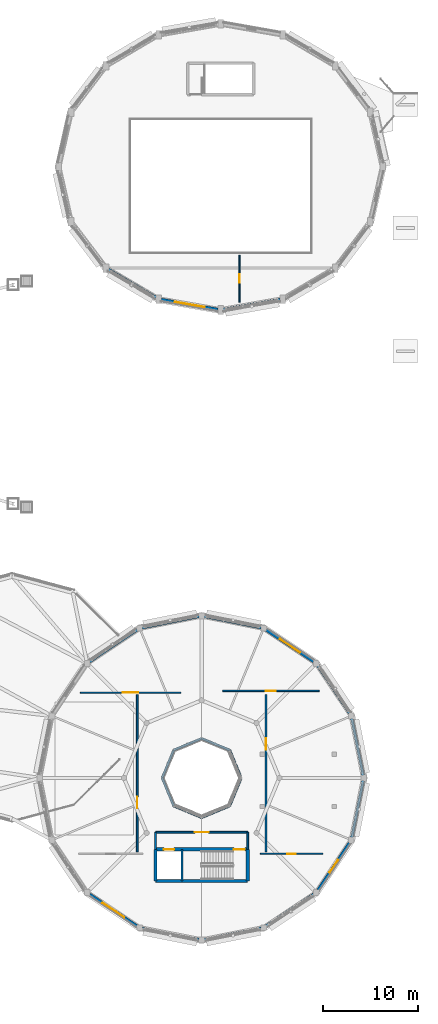
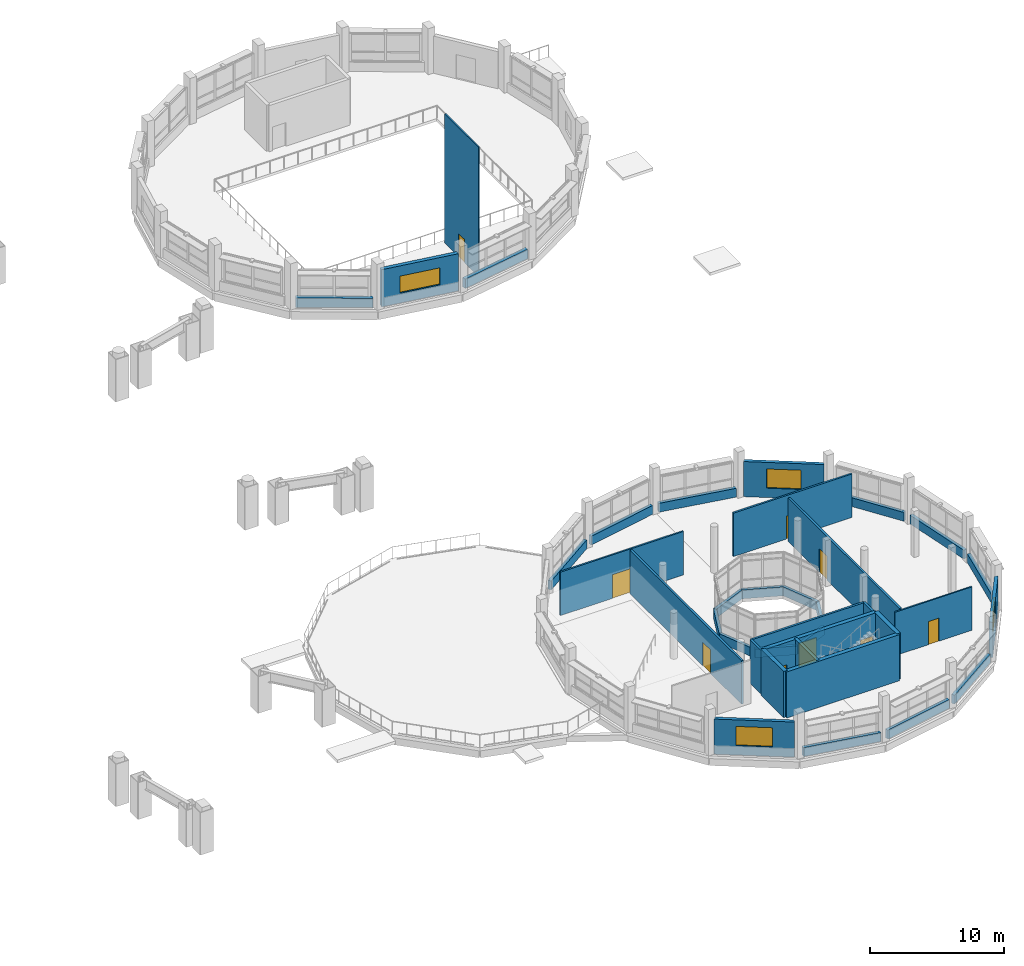
# One storey, part 114 of 128: 37 walls, 9 doors, 4 windows, 13 openings.
"""IFC4 building model written with IfcOpenShell, lengths in metres."""

from ifc_helpers import new_model, si_unit, direction, frame, frame_2d, origin, place, context, subcontext, project, spatial, rectangle, extrude, material, layer, layer_set, type_object, element, fill, save


model = new_model("IFC4")

# Units and contexts
model_context = context("Model", 3, precision=1e-05, world=origin(), true_north=direction((0.0, 1.0)))
body_context = subcontext(model_context, "Body", "Model", "MODEL_VIEW")
ifc_project = project(units=[si_unit("LENGTHUNIT", "METRE"), si_unit("AREAUNIT", "SQUARE_METRE"), si_unit("VOLUMEUNIT", "CUBIC_METRE"), si_unit("PLANEANGLEUNIT", "RADIAN"), si_unit("MASSUNIT", "GRAM", prefix="KILO")], contexts=[model_context])

# Site, building, storey
site_placement = place(None, origin())
site = spatial("IfcSite", under=ifc_project, at=site_placement, CompositionType="ELEMENT")
building_placement = place(site_placement, origin())
building = spatial("IfcBuilding", under=site, at=building_placement, Name="Vespera Passage Community Centre", CompositionType="ELEMENT")
storey_placement = place(building_placement, frame((0.0, 0.0, 4.5)))
storey = spatial("IfcBuildingStorey", under=building, at=storey_placement, Name="L01", CompositionType="ELEMENT", Elevation=4.5)

# Wall, openings, doors
ifc_material_1 = material(Name="Concrete f'c 45 MPa", Category="concrete")
ifc_layer_1 = layer(ifc_material_1, 0.340087890625)
ifc_layer_set_1 = layer_set([ifc_layer_1], Name="Concrete f'c 45 MPa")
wall_type_1 = type_object("IfcWallType", Name="WT-CORE-340I", PredefinedType="SHEAR", material=ifc_layer_set_1)
wall_1_placement = place(storey_placement, frame((136.135009765625, 17.469970703125, 0.0), z_axis=(0.0, 0.0, 1.0), x_axis=(1.0, 0.0, 0.0)))
wall_1 = element("IfcWall", 1, at=wall_1_placement, inside=storey, type_object=wall_type_1, Name="Core C7 L01 Shear Wall FRONT", PredefinedType="SHEAR", context=body_context, shape_type="SweptSolid", body=[
    extrude(rectangle(XDim=9.72998046875, YDim=0.340087890625, at=frame_2d((4.864990234375, 0.0))), origin(), (0.0, 0.0, 1.0), 4.199951171875),
])
opening_1_placement = place(wall_1_placement, frame((8.264892578125, 0.0, 0.0)))
opening_1 = element("IfcOpeningElement", 2, at=opening_1_placement, cuts=wall_1, Name="Opening DT-STAIR-90", PredefinedType="OPENING", context=body_context, shape_type="SweptSolid", body=[
    extrude(rectangle(XDim=1.14990234375, YDim=2.14990234375, at=frame_2d((0.574951171875, 1.074951171875))), frame((0.0, 0.179931640625, 0.0), z_axis=(0.0, -1.0, 0.0), x_axis=(1.0, 0.0, 0.0)), (0.0, 0.0, 1.0), 0.360107421875),
])
opening_2_placement = place(wall_1_placement, frame((0.8701171875, 0.0, 0.0)))
opening_2 = element("IfcOpeningElement", 3, at=opening_2_placement, cuts=wall_1, Name="Opening DT-LIFT-110", PredefinedType="OPENING", context=body_context, shape_type="SweptSolid", body=[
    extrude(rectangle(XDim=1.10009765625, YDim=2.14990234375, at=frame_2d((0.550048828125, 1.074951171875))), frame((0.0, 0.179931640625, 0.0), z_axis=(0.0, -1.0, 0.0), x_axis=(1.0, 0.0, 0.0)), (0.0, 0.0, 1.0), 0.360107421875),
])
ifc_material_2 = material(Name="Painted hollow-metal acoustic door", Category="steel")
door_type_1 = type_object("IfcDoorType", Name="DT-LIFT-110", OperationType="NOTDEFINED", PredefinedType="DOOR", material=ifc_material_2)
door_1_placement = place(opening_2_placement, origin())
door_1 = element("IfcDoor", 4, at=door_1_placement, inside=storey, type_object=door_type_1, Name="Elevator EL-05 L01 Landing Door LD-028", OperationType="SLIDING_TO_LEFT", OverallHeight=2.14990234375, OverallWidth=1.10009765625, PredefinedType="DOOR", context=body_context, shape_type="SweptSolid", body=[
    extrude(rectangle(XDim=1.10009765625, YDim=2.14990234375, at=frame_2d((0.550048828125, 1.074951171875))), frame((0.0, 0.02490234375, 0.0), z_axis=(0.0, -1.0, 0.0), x_axis=(1.0, 0.0, 0.0)), (0.0, 0.0, 1.0), 0.050048828125),
])
fill(opening_2, door_1)
ifc_material_3 = material(Name="Painted hollow-metal acoustic door", Category="steel")
door_type_2 = type_object("IfcDoorType", Name="DT-STAIR-90", OperationType="NOTDEFINED", PredefinedType="DOOR", material=ifc_material_3)
door_2_placement = place(opening_1_placement, origin())
door_2 = element("IfcDoor", 5, at=door_2_placement, inside=storey, type_object=door_type_2, Name="Core C7 L01 Exit Stair Door D-113", OperationType="SINGLE_SWING_LEFT", OverallHeight=2.14990234375, OverallWidth=1.14990234375, PredefinedType="DOOR", context=body_context, shape_type="SweptSolid", body=[
    extrude(rectangle(XDim=1.14990234375, YDim=2.14990234375, at=frame_2d((0.574951171875, 1.074951171875))), frame((0.0, 0.02490234375, 0.0), z_axis=(0.0, -1.0, 0.0), x_axis=(1.0, 0.0, 0.0)), (0.0, 0.0, 1.0), 0.050048828125),
])
fill(opening_1, door_2)

# Walls
wall_2_placement = place(storey_placement, frame((145.864990234375, 17.469970703125, 0.0), z_axis=(0.0, 0.0, 1.0), x_axis=(0.0, -1.0, 0.0)))
element("IfcWall", 6, at=wall_2_placement, inside=storey, type_object=wall_type_1, Name="Core C7 L01 Shear Wall LEFT", PredefinedType="SHEAR", context=body_context, shape_type="SweptSolid", body=[
    extrude(rectangle(XDim=3.340087890625, YDim=0.340087890625, at=frame_2d((1.669921875, 0.0))), origin(), (0.0, 0.0, 1.0), 4.199951171875),
])
wall_3_placement = place(storey_placement, frame((145.864990234375, 14.1298828125, 0.0), z_axis=(0.0, 0.0, 1.0), x_axis=(-1.0, 0.0, 0.0)))
element("IfcWall", 7, at=wall_3_placement, inside=storey, type_object=wall_type_1, Name="Core C7 L01 Shear Wall BACK", PredefinedType="SHEAR", context=body_context, shape_type="SweptSolid", body=[
    extrude(rectangle(XDim=9.72998046875, YDim=0.340087890625, at=frame_2d((4.864990234375, 0.0))), origin(), (0.0, 0.0, 1.0), 4.199951171875),
])
wall_4_placement = place(storey_placement, frame((136.135009765625, 14.1298828125, 0.0), z_axis=(0.0, 0.0, 1.0), x_axis=(0.0, 1.0, 0.0)))
element("IfcWall", 8, at=wall_4_placement, inside=storey, type_object=wall_type_1, Name="Core C7 L01 Shear Wall RIGHT", PredefinedType="SHEAR", context=body_context, shape_type="SweptSolid", body=[
    extrude(rectangle(XDim=3.340087890625, YDim=0.340087890625, at=frame_2d((1.669921875, 0.0))), origin(), (0.0, 0.0, 1.0), 4.199951171875),
])

# Wall, opening, door
ifc_material_4 = material(Name="Gypsum board acoustic stud partition")
ifc_layer_2 = layer(ifc_material_4, 0.179931640625)
ifc_layer_set_2 = layer_set([ifc_layer_2], Name="Gypsum board acoustic stud partition")
wall_type_2 = type_object("IfcWallType", Name="WT-CORR-180I", PredefinedType="PARTITIONING", material=ifc_layer_set_2)
wall_5_placement = place(storey_placement, frame((145.864990234375, 19.27001953125, 0.0), z_axis=(0.0, 0.0, 1.0), x_axis=(-1.0, 0.0, 0.0)))
wall_5 = element("IfcWall", 9, at=wall_5_placement, inside=storey, type_object=wall_type_2, Name="Core C7 L01 Lift Lobby Front Wall", PredefinedType="PARTITIONING", context=body_context, shape_type="SweptSolid", body=[
    extrude(rectangle(XDim=9.72998046875, YDim=0.179931640625, at=frame_2d((4.864990234375, 0.0))), origin(), (0.0, 0.0, 1.0), 3.955078125),
])
opening_3_placement = place(wall_5_placement, frame((4.114990234375, 0.0, 0.0)))
opening_3 = element("IfcOpeningElement", 10, at=opening_3_placement, cuts=wall_5, Name="Opening DT-CORR-150", PredefinedType="OPENING", context=body_context, shape_type="SweptSolid", body=[
    extrude(rectangle(XDim=1.5, YDim=2.14990234375, at=frame_2d((0.75, 1.074951171875))), frame((0.0, 0.099853515625, 0.0), z_axis=(0.0, -1.0, 0.0), x_axis=(1.0, 0.0, 0.0)), (0.0, 0.0, 1.0), 0.199951171875),
])
ifc_material_5 = material(Name="Painted hollow-metal acoustic door", Category="steel")
door_type_3 = type_object("IfcDoorType", Name="DT-CORR-150", OperationType="NOTDEFINED", PredefinedType="DOOR", material=ifc_material_5)
door_3_placement = place(opening_3_placement, origin())
door_3 = element("IfcDoor", 11, at=door_3_placement, inside=storey, type_object=door_type_3, Name="Core C7 L01 Lift Lobby Door D-114", OperationType="SINGLE_SWING_RIGHT", OverallHeight=2.14990234375, OverallWidth=1.5, PredefinedType="DOOR", context=body_context, shape_type="SweptSolid", body=[
    extrude(rectangle(XDim=1.5, YDim=2.14990234375, at=frame_2d((0.75, 1.074951171875))), frame((0.0, 0.02490234375, 0.0), z_axis=(0.0, -1.0, 0.0), x_axis=(1.0, 0.0, 0.0)), (0.0, 0.0, 1.0), 0.050048828125),
])
fill(opening_3, door_3)

# Walls
for number, where, z_axis, x_axis, name in (
    (12, (145.864990234375, 17.469970703125, 0.0), (0.0, 0.0, 1.0), (0.0, 1.0, 0.0), "Core C7 L01 Lift Lobby Side Wall L"),
    (13, (136.135009765625, 17.469970703125, 0.0), (0.0, 0.0, 1.0), (0.0, 1.0, 0.0), "Core C7 L01 Lift Lobby Side Wall R"),
):
    element("IfcWall", number, at=place(storey_placement, frame(where, z_axis=z_axis, x_axis=x_axis)), inside=storey, type_object=wall_type_2, Name=name, PredefinedType="PARTITIONING", context=body_context, shape_type="SweptSolid", body=[
        extrude(rectangle(XDim=1.800048828125, YDim=0.179931640625, at=frame_2d((0.89990234375, 0.0))), origin(), (0.0, 0.0, 1.0), 3.955078125),
    ])

# Wall, opening, door
wall_6_placement = place(storey_placement, frame((134.199951171875, 17.199951171875, 0.0), z_axis=(0.0, 0.0, 1.0), x_axis=(0.0, 1.0, 0.0)))
wall_6 = element("IfcWall", 14, at=wall_6_placement, inside=storey, type_object=wall_type_2, Name="L01 Interior Partition V3-L01-CW.1", PredefinedType="PARTITIONING", context=body_context, shape_type="SweptSolid", body=[
    extrude(rectangle(XDim=16.60009765625, YDim=0.179931640625, at=frame_2d((8.300048828125, 0.0))), origin(), (0.0, 0.0, 1.0), 3.955078125),
])
opening_4_placement = place(wall_6_placement, frame((4.6201171875, 0.0, 0.0)))
opening_4 = element("IfcOpeningElement", 15, at=opening_4_placement, cuts=wall_6, Name="Opening DT-CORR-120", PredefinedType="OPENING", context=body_context, shape_type="SweptSolid", body=[
    extrude(rectangle(XDim=1.199951171875, YDim=2.14990234375, at=frame_2d((0.60009765625, 1.074951171875))), frame((0.0, 0.099853515625, 0.0), z_axis=(0.0, -1.0, 0.0), x_axis=(1.0, 0.0, 0.0)), (0.0, 0.0, 1.0), 0.199951171875),
])
ifc_material_6 = material(Name="Painted hollow-metal acoustic door", Category="steel")
door_type_4 = type_object("IfcDoorType", Name="DT-CORR-120", OperationType="NOTDEFINED", PredefinedType="DOOR", material=ifc_material_6)
door_4_placement = place(opening_4_placement, origin())
door_4 = element("IfcDoor", 16, at=door_4_placement, inside=storey, type_object=door_type_4, Name="L01 Interior Door D-361", OperationType="SINGLE_SWING_LEFT", OverallHeight=2.14990234375, OverallWidth=1.199951171875, PredefinedType="DOOR", context=body_context, shape_type="SweptSolid", body=[
    extrude(rectangle(XDim=1.199951171875, YDim=2.14990234375, at=frame_2d((0.60009765625, 1.074951171875))), frame((0.0, 0.02490234375, 0.0), z_axis=(0.0, -1.0, 0.0), x_axis=(1.0, 0.0, 0.0)), (0.0, 0.0, 1.0), 0.050048828125),
])
fill(opening_4, door_4)

wall_7_placement = place(storey_placement, frame((147.800048828125, 17.199951171875, 0.0), z_axis=(0.0, 0.0, 1.0), x_axis=(0.0, 1.0, 0.0)))
wall_7 = element("IfcWall", 17, at=wall_7_placement, inside=storey, type_object=wall_type_2, Name="L01 Interior Partition V3-L01-CE.1", PredefinedType="PARTITIONING", context=body_context, shape_type="SweptSolid", body=[
    extrude(rectangle(XDim=16.60009765625, YDim=0.179931640625, at=frame_2d((8.300048828125, 0.0))), origin(), (0.0, 0.0, 1.0), 3.955078125),
])
opening_5_placement = place(wall_7_placement, frame((10.780029296875, 0.0, 0.0)))
opening_5 = element("IfcOpeningElement", 18, at=opening_5_placement, cuts=wall_7, Name="Opening DT-CORR-120", PredefinedType="OPENING", context=body_context, shape_type="SweptSolid", body=[
    extrude(rectangle(XDim=1.199951171875, YDim=2.14990234375, at=frame_2d((0.60009765625, 1.074951171875))), frame((0.0, 0.099853515625, 0.0), z_axis=(0.0, -1.0, 0.0), x_axis=(1.0, 0.0, 0.0)), (0.0, 0.0, 1.0), 0.199951171875),
])
door_5_placement = place(opening_5_placement, origin())
door_5 = element("IfcDoor", 19, at=door_5_placement, inside=storey, type_object=door_type_4, Name="L01 Interior Door D-362", OperationType="SINGLE_SWING_RIGHT", OverallHeight=2.14990234375, OverallWidth=1.199951171875, PredefinedType="DOOR", context=body_context, shape_type="SweptSolid", body=[
    extrude(rectangle(XDim=1.199951171875, YDim=2.14990234375, at=frame_2d((0.60009765625, 1.074951171875))), frame((0.0, 0.02490234375, 0.0), z_axis=(0.0, -1.0, 0.0), x_axis=(1.0, 0.0, 0.0)), (0.0, 0.0, 1.0), 0.050048828125),
])
fill(opening_5, door_5)

# Walls
ifc_material_7 = material(Name="Concrete f'c 45 MPa", Category="concrete")
ifc_layer_3 = layer(ifc_material_7, 0.239990234375)
ifc_layer_set_3 = layer_set([ifc_layer_3], Name="Concrete f'c 45 MPa")
wall_type_3 = type_object("IfcWallType", Name="WT-DIV-240I", PredefinedType="SHEAR", material=ifc_layer_set_3)
wall_8_placement = place(storey_placement, frame((138.925048828125, 17.469970703125, 0.0), z_axis=(0.0, 0.0, 1.0), x_axis=(0.0, -1.0, 0.0)))
element("IfcWall", 20, at=wall_8_placement, inside=storey, type_object=wall_type_3, Name="Core C7 L01 Hoistway Divider Wall", PredefinedType="SHEAR", context=body_context, shape_type="SweptSolid", body=[
    extrude(rectangle(XDim=3.340087890625, YDim=0.239990234375, at=frame_2d((1.669921875, 0.0))), origin(), (0.0, 0.0, 1.0), 4.199951171875),
])
ifc_material_8 = material(Name="Precast concrete f'c 40 MPa", Category="concrete")
ifc_layer_4 = layer(ifc_material_8, 0.25)
ifc_layer_set_4 = layer_set([ifc_layer_4], Name="Precast concrete f'c 40 MPa")
wall_type_4 = type_object("IfcWallType", Name="WT-EXT-250E", PredefinedType="STANDARD", material=ifc_layer_set_4)
for number, where, z_axis, x_axis, name in (
    (21, (145.179931640625, 25.0, 0.0), (0.0, 0.0, 1.0), (-0.382625877527, 0.923903370406, 0.0), "V3 L01 Inner Court Spandrel 1"),
    (22, (143.955810546875, 27.955810546875, 0.0), (0.0, 0.0, 1.0), (-0.923903370406, 0.382625877527, 0.0), "V3 L01 Inner Court Spandrel 2"),
    (23, (141.0, 29.179931640625, 0.0), (0.0, 0.0, 1.0), (-0.923903370406, -0.382625877527, 0.0), "V3 L01 Inner Court Spandrel 3"),
    (24, (138.044189453125, 27.955810546875, 0.0), (0.0, 0.0, 1.0), (-0.382625877527, -0.923903370406, 0.0), "V3 L01 Inner Court Spandrel 4"),
    (25, (136.820068359375, 25.0, 0.0), (0.0, 0.0, 1.0), (0.382625877527, -0.923903370406, 0.0), "V3 L01 Inner Court Spandrel 5"),
    (26, (138.044189453125, 22.044189453125, 0.0), (0.0, 0.0, 1.0), (0.923903370406, -0.382625877527, 0.0), "V3 L01 Inner Court Spandrel 6"),
    (27, (141.0, 20.820068359375, 0.0), (0.0, 0.0, 1.0), (0.923903370406, 0.382625877527, 0.0), "V3 L01 Inner Court Spandrel 7"),
    (28, (143.955810546875, 22.044189453125, 0.0), (0.0, 0.0, 1.0), (0.382625877527, 0.923903370406, 0.0), "V3 L01 Inner Court Spandrel 8"),
):
    element("IfcWall", number, at=place(storey_placement, frame(where, z_axis=z_axis, x_axis=x_axis)), inside=storey, type_object=wall_type_4, Name=name, PredefinedType="STANDARD", context=body_context, shape_type="SweptSolid", body=[
        extrude(rectangle(XDim=3.19921875, YDim=0.25, at=frame_2d((1.599609375, 0.0))), origin(), (0.0, 0.0, 1.0), 0.800048828125),
    ])
ifc_material_9 = material(Name="Precast concrete f'c 40 MPa", Category="concrete")
ifc_layer_5 = layer(ifc_material_9, 0.280029296875)
ifc_layer_set_5 = layer_set([ifc_layer_5], Name="Precast concrete f'c 40 MPa")
wall_type_5 = type_object("IfcWallType", Name="WT-EXT-280E", PredefinedType="STANDARD", material=ifc_layer_set_5)
wall_9_placement = place(storey_placement, frame((156.85302734375, 31.268310546875, 0.0), z_axis=(0.0, 0.0, 1.0), x_axis=(0.195101780047, -0.98078300119, 0.0)))
element("IfcWall", 29, at=wall_9_placement, inside=storey, type_object=wall_type_5, Name="V3 L01 Spandrel 1", PredefinedType="STANDARD", context=body_context, shape_type="SweptSolid", body=[
    extrude(rectangle(XDim=6.1103515625, YDim=0.280029296875, at=frame_2d((3.05517578125, 0.0))), origin(), (0.0, 0.0, 1.0), 0.800048828125),
])
wall_10_placement = place(storey_placement, frame((153.278076171875, 36.812255859375, 0.0), z_axis=(0.0, 0.0, 1.0), x_axis=(0.555573083966, -0.831467707354, 0.0)))
element("IfcWall", 30, at=wall_10_placement, inside=storey, type_object=wall_type_5, Name="V3 L01 Spandrel 2", PredefinedType="STANDARD", context=body_context, shape_type="SweptSolid", body=[
    extrude(rectangle(XDim=6.00048828125, YDim=0.280029296875, at=frame_2d((3.000244140625, 0.0))), origin(), (0.0, 0.0, 1.0), 0.800048828125),
])

# Wall, opening, window
wall_11_placement = place(storey_placement, frame((147.822998046875, 40.61181640625, 0.0), z_axis=(0.0, 0.0, 1.0), x_axis=(0.831467707354, -0.555573083966, 0.0)))
wall_11 = element("IfcWall", 31, at=wall_11_placement, inside=storey, type_object=wall_type_5, Name="V3 L01 Facade Wall 3", PredefinedType="STANDARD", context=body_context, shape_type="SweptSolid", body=[
    extrude(rectangle(XDim=6.00048828125, YDim=0.280029296875, at=frame_2d((3.000244140625, 0.0))), origin(), (0.0, 0.0, 1.0), 3.195068359375),
])
opening_6_placement = place(wall_11_placement, frame((1.72509765625, 0.0, 0.85009765625)))
opening_6 = element("IfcOpeningElement", 32, at=opening_6_placement, cuts=wall_11, Name="Opening WN-24E", PredefinedType="OPENING", context=body_context, shape_type="SweptSolid", body=[
    extrude(rectangle(XDim=2.550048828125, YDim=1.75, at=frame_2d((1.27490234375, 0.875))), frame((0.0, 0.150146484375, 0.0), z_axis=(0.0, -1.0, 0.0), x_axis=(1.0, 0.0, 0.0)), (0.0, 0.0, 1.0), 0.300048828125),
])
ifc_material_10 = material(Name="Low-E insulated vision glass", Category="glass")
window_type_1 = type_object("IfcWindowType", Name="WN-24E", PartitioningType="SINGLE_PANEL", PredefinedType="WINDOW", material=ifc_material_10)
window_1_placement = place(opening_6_placement, origin())
window_1 = element("IfcWindow", 33, at=window_1_placement, inside=storey, type_object=window_type_1, Name="Window WN-V3-L01-P03", OverallHeight=1.75, OverallWidth=2.550048828125, PartitioningType="SINGLE_PANEL", PredefinedType="WINDOW", context=body_context, shape_type="SweptSolid", body=[
    extrude(rectangle(XDim=2.550048828125, YDim=1.75, at=frame_2d((1.27490234375, 0.875))), frame((0.0, 0.030029296875, 0.0), z_axis=(0.0, -1.0, 0.0), x_axis=(1.0, 0.0, 0.0)), (0.0, 0.0, 1.0), 0.06005859375),
])
fill(opening_6, window_1)

# Walls
for number, where, z_axis, x_axis, name in (
    (34, (141.275390625, 42.045166015625, 0.0), (0.0, 0.0, 1.0), (0.98078300119, -0.195101780047, 0.0), "V3 L01 Spandrel 4"),
    (35, (134.731689453125, 40.85302734375, 0.0), (0.0, 0.0, 1.0), (0.98078300119, 0.195101780047, 0.0), "V3 L01 Spandrel 5"),
):
    element("IfcWall", number, at=place(storey_placement, frame(where, z_axis=z_axis, x_axis=x_axis)), inside=storey, type_object=wall_type_5, Name=name, PredefinedType="STANDARD", context=body_context, shape_type="SweptSolid", body=[
        extrude(rectangle(XDim=6.1103515625, YDim=0.280029296875, at=frame_2d((3.05517578125, 0.0))), origin(), (0.0, 0.0, 1.0), 0.800048828125),
    ])
wall_12_placement = place(storey_placement, frame((129.187744140625, 37.278076171875, 0.0), z_axis=(0.0, 0.0, 1.0), x_axis=(0.831467707354, 0.555573083966, 0.0)))
element("IfcWall", 36, at=wall_12_placement, inside=storey, type_object=wall_type_5, Name="V3 L01 Spandrel 6", PredefinedType="STANDARD", context=body_context, shape_type="SweptSolid", body=[
    extrude(rectangle(XDim=6.00048828125, YDim=0.280029296875, at=frame_2d((3.000244140625, 0.0))), origin(), (0.0, 0.0, 1.0), 0.800048828125),
])

# Wall, opening, window
wall_13_placement = place(storey_placement, frame((134.177001953125, 9.38818359375, 0.0), z_axis=(0.0, 0.0, 1.0), x_axis=(-0.831467707354, 0.555573083966, 0.0)))
wall_13 = element("IfcWall", 37, at=wall_13_placement, inside=storey, type_object=wall_type_5, Name="V3 L01 Facade Wall 11", PredefinedType="STANDARD", context=body_context, shape_type="SweptSolid", body=[
    extrude(rectangle(XDim=6.00048828125, YDim=0.280029296875, at=frame_2d((3.000244140625, 0.0))), origin(), (0.0, 0.0, 1.0), 3.195068359375),
])
opening_7_placement = place(wall_13_placement, frame((1.625244140625, 0.0, 0.85009765625)))
opening_7 = element("IfcOpeningElement", 38, at=opening_7_placement, cuts=wall_13, Name="Opening WN-25E", PredefinedType="OPENING", context=body_context, shape_type="SweptSolid", body=[
    extrude(rectangle(XDim=2.75, YDim=1.75, at=frame_2d((1.375, 0.875))), frame((0.0, 0.150146484375, 0.0), z_axis=(0.0, -1.0, 0.0), x_axis=(1.0, 0.0, 0.0)), (0.0, 0.0, 1.0), 0.300048828125),
])
ifc_material_11 = material(Name="Low-E insulated vision glass", Category="glass")
window_type_2 = type_object("IfcWindowType", Name="WN-25E", PartitioningType="SINGLE_PANEL", PredefinedType="WINDOW", material=ifc_material_11)
window_2_placement = place(opening_7_placement, origin())
window_2 = element("IfcWindow", 39, at=window_2_placement, inside=storey, type_object=window_type_2, Name="Window WN-V3-L01-P11", OverallHeight=1.75, OverallWidth=2.75, PartitioningType="SINGLE_PANEL", PredefinedType="WINDOW", context=body_context, shape_type="SweptSolid", body=[
    extrude(rectangle(XDim=2.75, YDim=1.75, at=frame_2d((1.375, 0.875))), frame((0.0, 0.030029296875, 0.0), z_axis=(0.0, -1.0, 0.0), x_axis=(1.0, 0.0, 0.0)), (0.0, 0.0, 1.0), 0.06005859375),
])
fill(opening_7, window_2)

# Walls
for number, where, z_axis, x_axis, name in (
    (40, (140.724609375, 7.954833984375, 0.0), (0.0, 0.0, 1.0), (-0.98078300119, 0.195101780047, 0.0), "V3 L01 Spandrel 12"),
    (41, (147.268310546875, 9.14697265625, 0.0), (0.0, 0.0, 1.0), (-0.98078300119, -0.195101780047, 0.0), "V3 L01 Spandrel 13"),
):
    element("IfcWall", number, at=place(storey_placement, frame(where, z_axis=z_axis, x_axis=x_axis)), inside=storey, type_object=wall_type_5, Name=name, PredefinedType="STANDARD", context=body_context, shape_type="SweptSolid", body=[
        extrude(rectangle(XDim=6.1103515625, YDim=0.280029296875, at=frame_2d((3.05517578125, 0.0))), origin(), (0.0, 0.0, 1.0), 0.800048828125),
    ])
wall_14_placement = place(storey_placement, frame((152.812255859375, 12.721923828125, 0.0), z_axis=(0.0, 0.0, 1.0), x_axis=(-0.831467707354, -0.555573083966, 0.0)))
element("IfcWall", 42, at=wall_14_placement, inside=storey, type_object=wall_type_5, Name="V3 L01 Spandrel 14", PredefinedType="STANDARD", context=body_context, shape_type="SweptSolid", body=[
    extrude(rectangle(XDim=6.00048828125, YDim=0.280029296875, at=frame_2d((3.000244140625, 0.0))), origin(), (0.0, 0.0, 1.0), 0.800048828125),
])

# Wall, opening, window
wall_15_placement = place(storey_placement, frame((156.61181640625, 18.177001953125, 0.0), z_axis=(0.0, 0.0, 1.0), x_axis=(-0.555573083966, -0.831467707354, 0.0)))
wall_15 = element("IfcWall", 43, at=wall_15_placement, inside=storey, type_object=wall_type_5, Name="V3 L01 Facade Wall 15", PredefinedType="STANDARD", context=body_context, shape_type="SweptSolid", body=[
    extrude(rectangle(XDim=6.00048828125, YDim=0.280029296875, at=frame_2d((3.000244140625, 0.0))), origin(), (0.0, 0.0, 1.0), 3.195068359375),
])
opening_8_placement = place(wall_15_placement, frame((2.2001953125, 0.0, 0.85009765625)))
opening_8 = element("IfcOpeningElement", 44, at=opening_8_placement, cuts=wall_15, Name="Opening WN-26E", PredefinedType="OPENING", context=body_context, shape_type="SweptSolid", body=[
    extrude(rectangle(XDim=1.60009765625, YDim=1.949951171875, at=frame_2d((0.800048828125, 0.97509765625))), frame((0.0, 0.150146484375, 0.0), z_axis=(0.0, -1.0, 0.0), x_axis=(1.0, 0.0, 0.0)), (0.0, 0.0, 1.0), 0.300048828125),
])
ifc_material_12 = material(Name="Low-E insulated vision glass", Category="glass")
window_type_3 = type_object("IfcWindowType", Name="WN-26E", PartitioningType="SINGLE_PANEL", PredefinedType="WINDOW", material=ifc_material_12)
window_3_placement = place(opening_8_placement, origin())
window_3 = element("IfcWindow", 45, at=window_3_placement, inside=storey, type_object=window_type_3, Name="Window WN-V3-L01-P15", OverallHeight=1.949951171875, OverallWidth=1.60009765625, PartitioningType="SINGLE_PANEL", PredefinedType="WINDOW", context=body_context, shape_type="SweptSolid", body=[
    extrude(rectangle(XDim=1.60009765625, YDim=1.949951171875, at=frame_2d((0.800048828125, 0.97509765625))), frame((0.0, 0.030029296875, 0.0), z_axis=(0.0, -1.0, 0.0), x_axis=(1.0, 0.0, 0.0)), (0.0, 0.0, 1.0), 0.06005859375),
])
fill(opening_8, window_3)

# Walls
wall_16_placement = place(storey_placement, frame((158.045166015625, 24.724609375, 0.0), z_axis=(0.0, 0.0, 1.0), x_axis=(-0.195101780047, -0.98078300119, 0.0)))
element("IfcWall", 46, at=wall_16_placement, inside=storey, type_object=wall_type_5, Name="V3 L01 Spandrel 16", PredefinedType="STANDARD", context=body_context, shape_type="SweptSolid", body=[
    extrude(rectangle(XDim=6.1103515625, YDim=0.280029296875, at=frame_2d((3.05517578125, 0.0))), origin(), (0.0, 0.0, 1.0), 0.800048828125),
])
ifc_material_13 = material(Name="Precast concrete f'c 40 MPa", Category="concrete")
ifc_layer_6 = layer(ifc_material_13, 0.320068359375)
ifc_layer_set_6 = layer_set([ifc_layer_6], Name="Precast concrete f'c 40 MPa")
wall_type_6 = type_object("IfcWallType", Name="WT-EXT-320E", PredefinedType="STANDARD", material=ifc_layer_set_6)
wall_17_placement = place(storey_placement, frame((136.177490234375, 75.713623046875, 0.0), z_axis=(0.0, 0.0, 1.0), x_axis=(-0.861235880181, 0.508205429614, 0.0)))
element("IfcWall", 47, at=wall_17_placement, inside=storey, type_object=wall_type_6, Name="V2 L01 Spandrel 11", PredefinedType="STANDARD", context=body_context, shape_type="SweptSolid", body=[
    extrude(rectangle(XDim=5.79443359375, YDim=0.320068359375, at=frame_2d((2.897216796875, 0.0))), origin(), (0.0, 0.0, 1.0), 0.85009765625),
])

# Wall, opening, window
wall_18_placement = place(storey_placement, frame((142.724609375, 74.448486328125, 0.0), z_axis=(0.0, 0.0, 1.0), x_axis=(-0.984927418504, 0.172968148166, 0.0)))
wall_18 = element("IfcWall", 48, at=wall_18_placement, inside=storey, type_object=wall_type_6, Name="V2 L01 Facade Wall 12", PredefinedType="STANDARD", context=body_context, shape_type="SweptSolid", body=[
    extrude(rectangle(XDim=6.0849609375, YDim=0.320068359375, at=frame_2d((3.04248046875, 0.0))), origin(), (0.0, 0.0, 1.0), 3.385009765625),
])
opening_9_placement = place(wall_18_placement, frame((1.4423828125, 0.0, 0.89990234375)))
opening_9 = element("IfcOpeningElement", 49, at=opening_9_placement, cuts=wall_18, Name="Opening WN-18E", PredefinedType="OPENING", context=body_context, shape_type="SweptSolid", body=[
    extrude(rectangle(XDim=3.199951171875, YDim=1.550048828125, at=frame_2d((1.60009765625, 0.77490234375))), frame((0.0, 0.170166015625, 0.0), z_axis=(0.0, -1.0, 0.0), x_axis=(1.0, 0.0, 0.0)), (0.0, 0.0, 1.0), 0.340087890625),
])
ifc_material_14 = material(Name="Low-E insulated vision glass", Category="glass")
window_type_4 = type_object("IfcWindowType", Name="WN-18E", PartitioningType="SINGLE_PANEL", PredefinedType="WINDOW", material=ifc_material_14)
window_4_placement = place(opening_9_placement, origin())
window_4 = element("IfcWindow", 50, at=window_4_placement, inside=storey, type_object=window_type_4, Name="Window WN-V2-L01-P12", OverallHeight=1.550048828125, OverallWidth=3.199951171875, PartitioningType="SINGLE_PANEL", PredefinedType="WINDOW", context=body_context, shape_type="SweptSolid", body=[
    extrude(rectangle(XDim=3.199951171875, YDim=1.550048828125, at=frame_2d((1.60009765625, 0.77490234375))), frame((0.0, 0.030029296875, 0.0), z_axis=(0.0, -1.0, 0.0), x_axis=(1.0, 0.0, 0.0)), (0.0, 0.0, 1.0), 0.06005859375),
])
fill(opening_9, window_4)

# Wall
wall_19_placement = place(storey_placement, frame((149.2685546875, 75.5009765625, 0.0), z_axis=(0.0, 0.0, 1.0), x_axis=(-0.984927418504, -0.172968148166, 0.0)))
element("IfcWall", 51, at=wall_19_placement, inside=storey, type_object=wall_type_6, Name="V2 L01 Spandrel 13", PredefinedType="STANDARD", context=body_context, shape_type="SweptSolid", body=[
    extrude(rectangle(XDim=6.0849609375, YDim=0.320068359375, at=frame_2d((3.04248046875, 0.0))), origin(), (0.0, 0.0, 1.0), 0.85009765625),
])

# Wall, opening, door
ifc_material_15 = material(Name="Gypsum board acoustic stud partition")
ifc_layer_7 = layer(ifc_material_15, 0.139892578125)
ifc_layer_set_7 = layer_set([ifc_layer_7], Name="Gypsum board acoustic stud partition")
wall_type_7 = type_object("IfcWallType", Name="WT-ROOM-140I", PredefinedType="PARTITIONING", material=ifc_layer_set_7)
wall_20_placement = place(storey_placement, frame((128.199951171875, 34.0, 0.0), z_axis=(0.0, 0.0, 1.0), x_axis=(1.0, 0.0, 0.0)))
wall_20 = element("IfcWall", 52, at=wall_20_placement, inside=storey, type_object=wall_type_7, Name="L01 Interior Partition V3-L01-DIVW.1", PredefinedType="PARTITIONING", context=body_context, shape_type="SweptSolid", body=[
    extrude(rectangle(XDim=10.60009765625, YDim=0.139892578125, at=frame_2d((5.300048828125, 0.0))), origin(), (0.0, 0.0, 1.0), 3.955078125),
])
opening_10_placement = place(wall_20_placement, frame((4.47509765625, 0.0, 0.0)))
opening_10 = element("IfcOpeningElement", 53, at=opening_10_placement, cuts=wall_20, Name="Opening DT-INT-165", PredefinedType="OPENING", context=body_context, shape_type="SweptSolid", body=[
    extrude(rectangle(XDim=1.64990234375, YDim=2.14990234375, at=frame_2d((0.824951171875, 1.074951171875))), frame((0.0, 0.079833984375, 0.0), z_axis=(0.0, -1.0, 0.0), x_axis=(1.0, 0.0, 0.0)), (0.0, 0.0, 1.0), 0.159912109375),
])
ifc_material_16 = material(Name="Solid-core maple veneer door", Category="wood")
door_type_5 = type_object("IfcDoorType", Name="DT-INT-165", OperationType="NOTDEFINED", PredefinedType="DOOR", material=ifc_material_16)
door_6_placement = place(opening_10_placement, origin())
door_6 = element("IfcDoor", 54, at=door_6_placement, inside=storey, type_object=door_type_5, Name="L01 Interior Door D-363", OperationType="SINGLE_SWING_LEFT", OverallHeight=2.14990234375, OverallWidth=1.64990234375, PredefinedType="DOOR", context=body_context, shape_type="SweptSolid", body=[
    extrude(rectangle(XDim=1.64990234375, YDim=2.14990234375, at=frame_2d((0.824951171875, 1.074951171875))), frame((0.0, 0.02490234375, 0.0), z_axis=(0.0, -1.0, 0.0), x_axis=(1.0, 0.0, 0.0)), (0.0, 0.0, 1.0), 0.050048828125),
])
fill(opening_10, door_6)

ifc_material_17 = material(Name="Gypsum board acoustic stud partition")
ifc_layer_8 = layer(ifc_material_17, 0.159912109375)
ifc_layer_set_8 = layer_set([ifc_layer_8], Name="Gypsum board acoustic stud partition")
wall_type_8 = type_object("IfcWallType", Name="WT-STC-160I", PredefinedType="PARTITIONING", material=ifc_layer_set_8)
wall_21_placement = place(storey_placement, frame((143.199951171875, 34.199951171875, 0.0), z_axis=(0.0, 0.0, 1.0), x_axis=(1.0, 0.0, 0.0)))
wall_21 = element("IfcWall", 55, at=wall_21_placement, inside=storey, type_object=wall_type_8, Name="L01 Interior Partition V3-L01-DIVE.1", PredefinedType="PARTITIONING", context=body_context, shape_type="SweptSolid", body=[
    extrude(rectangle(XDim=10.199951171875, YDim=0.159912109375, at=frame_2d((5.10009765625, 0.0))), origin(), (0.0, 0.0, 1.0), 3.955078125),
])
opening_11_placement = place(wall_21_placement, frame((4.574951171875, 0.0, 0.0)))
opening_11 = element("IfcOpeningElement", 56, at=opening_11_placement, cuts=wall_21, Name="Opening DT-CORR-105", PredefinedType="OPENING", context=body_context, shape_type="SweptSolid", body=[
    extrude(rectangle(XDim=1.050048828125, YDim=2.10009765625, at=frame_2d((0.52490234375, 1.050048828125))), frame((0.0, 0.090087890625, 0.0), z_axis=(0.0, -1.0, 0.0), x_axis=(1.0, 0.0, 0.0)), (0.0, 0.0, 1.0), 0.179931640625),
])
ifc_material_18 = material(Name="Painted hollow-metal acoustic door", Category="steel")
door_type_6 = type_object("IfcDoorType", Name="DT-CORR-105", OperationType="NOTDEFINED", PredefinedType="DOOR", material=ifc_material_18)
door_7_placement = place(opening_11_placement, origin())
door_7 = element("IfcDoor", 57, at=door_7_placement, inside=storey, type_object=door_type_6, Name="L01 Interior Door D-364", OperationType="SINGLE_SWING_RIGHT", OverallHeight=2.10009765625, OverallWidth=1.050048828125, PredefinedType="DOOR", context=body_context, shape_type="SweptSolid", body=[
    extrude(rectangle(XDim=1.050048828125, YDim=2.10009765625, at=frame_2d((0.52490234375, 1.050048828125))), frame((0.0, 0.02490234375, 0.0), z_axis=(0.0, -1.0, 0.0), x_axis=(1.0, 0.0, 0.0)), (0.0, 0.0, 1.0), 0.050048828125),
])
fill(opening_11, door_7)

ifc_material_19 = material(Name="Moisture-resistant gypsum stud partition")
ifc_layer_9 = layer(ifc_material_19, 0.1201171875)
ifc_layer_set_9 = layer_set([ifc_layer_9], Name="Moisture-resistant gypsum stud partition")
wall_type_9 = type_object("IfcWallType", Name="WT-WET-120I", PredefinedType="PARTITIONING", material=ifc_layer_set_9)
wall_22_placement = place(storey_placement, frame((145.0, 75.199951171875, 0.0), z_axis=(0.0, 0.0, 1.0), x_axis=(0.0, 1.0, 0.0)))
wall_22 = element("IfcWall", 58, at=wall_22_placement, inside=storey, type_object=wall_type_9, Name="L01 Interior Partition V2-L01-WC.1", PredefinedType="PARTITIONING", context=body_context, shape_type="SweptSolid", body=[
    extrude(rectangle(XDim=5.0, YDim=0.1201171875, at=frame_2d((2.5, 0.0))), origin(), (0.0, 0.0, 1.0), 11.7451171875),
])
opening_12_placement = place(wall_22_placement, frame((2.050048828125, 0.0, 0.0)))
opening_12 = element("IfcOpeningElement", 59, at=opening_12_placement, cuts=wall_22, Name="Opening DT-INT-90", PredefinedType="OPENING", context=body_context, shape_type="SweptSolid", body=[
    extrude(rectangle(XDim=0.89990234375, YDim=2.10009765625, at=frame_2d((0.449951171875, 1.050048828125))), frame((0.0, 0.070068359375, 0.0), z_axis=(0.0, -1.0, 0.0), x_axis=(1.0, 0.0, 0.0)), (0.0, 0.0, 1.0), 0.14013671875),
])
ifc_material_20 = material(Name="Solid-core maple veneer door", Category="wood")
door_type_7 = type_object("IfcDoorType", Name="DT-INT-90", OperationType="NOTDEFINED", PredefinedType="DOOR", material=ifc_material_20)
door_8_placement = place(opening_12_placement, origin())
door_8 = element("IfcDoor", 60, at=door_8_placement, inside=storey, type_object=door_type_7, Name="L01 Interior Door D-350", OperationType="SINGLE_SWING_RIGHT", OverallHeight=2.10009765625, OverallWidth=0.89990234375, PredefinedType="DOOR", context=body_context, shape_type="SweptSolid", body=[
    extrude(rectangle(XDim=0.89990234375, YDim=2.10009765625, at=frame_2d((0.449951171875, 1.050048828125))), frame((0.0, 0.02490234375, 0.0), z_axis=(0.0, -1.0, 0.0), x_axis=(1.0, 0.0, 0.0)), (0.0, 0.0, 1.0), 0.050048828125),
])
fill(opening_12, door_8)

wall_23_placement = place(storey_placement, frame((147.199951171875, 17.0, 0.0), z_axis=(0.0, 0.0, 1.0), x_axis=(1.0, 0.0, 0.0)))
wall_23 = element("IfcWall", 61, at=wall_23_placement, inside=storey, type_object=wall_type_9, Name="L01 Interior Partition V3-L01-WCSE.1", PredefinedType="PARTITIONING", context=body_context, shape_type="SweptSolid", body=[
    extrude(rectangle(XDim=6.60009765625, YDim=0.1201171875, at=frame_2d((3.300048828125, 0.0))), origin(), (0.0, 0.0, 1.0), 3.955078125),
])
opening_13_placement = place(wall_23_placement, frame((2.85009765625, 0.0, 0.0)))
opening_13 = element("IfcOpeningElement", 62, at=opening_13_placement, cuts=wall_23, Name="Opening DT-INT-90", PredefinedType="OPENING", context=body_context, shape_type="SweptSolid", body=[
    extrude(rectangle(XDim=0.89990234375, YDim=2.10009765625, at=frame_2d((0.449951171875, 1.050048828125))), frame((0.0, 0.070068359375, 0.0), z_axis=(0.0, -1.0, 0.0), x_axis=(1.0, 0.0, 0.0)), (0.0, 0.0, 1.0), 0.14013671875),
])
door_9_placement = place(opening_13_placement, origin())
door_9 = element("IfcDoor", 63, at=door_9_placement, inside=storey, type_object=door_type_7, Name="L01 Interior Door D-366", OperationType="SINGLE_SWING_RIGHT", OverallHeight=2.10009765625, OverallWidth=0.89990234375, PredefinedType="DOOR", context=body_context, shape_type="SweptSolid", body=[
    extrude(rectangle(XDim=0.89990234375, YDim=2.10009765625, at=frame_2d((0.449951171875, 1.050048828125))), frame((0.0, 0.02490234375, 0.0), z_axis=(0.0, -1.0, 0.0), x_axis=(1.0, 0.0, 0.0)), (0.0, 0.0, 1.0), 0.050048828125),
])
fill(opening_13, door_9)

save(model, "model.ifc")
